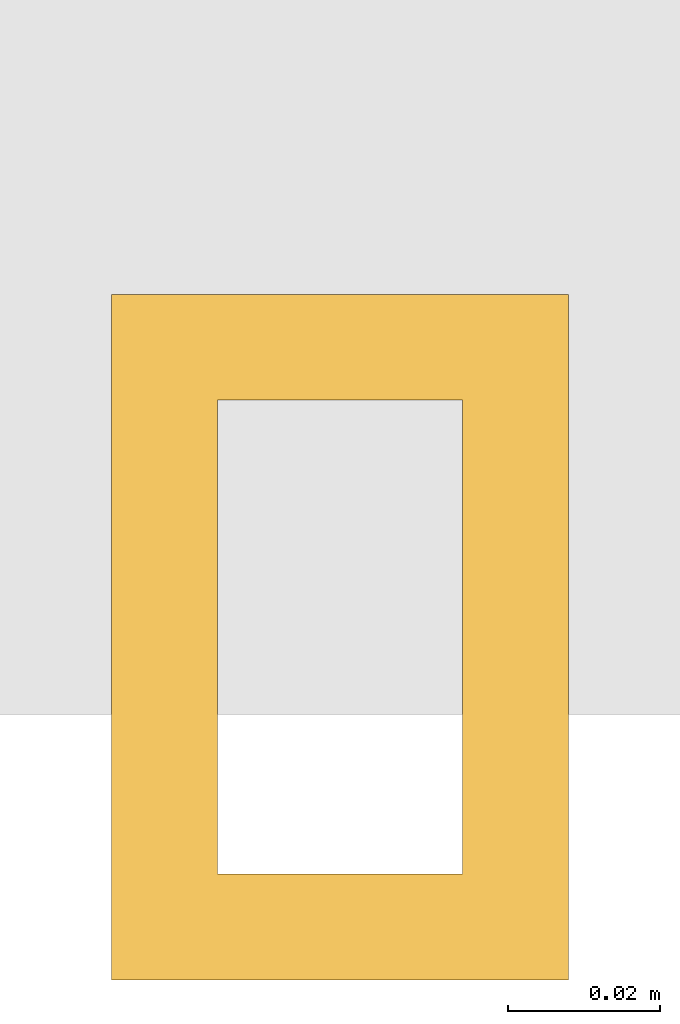
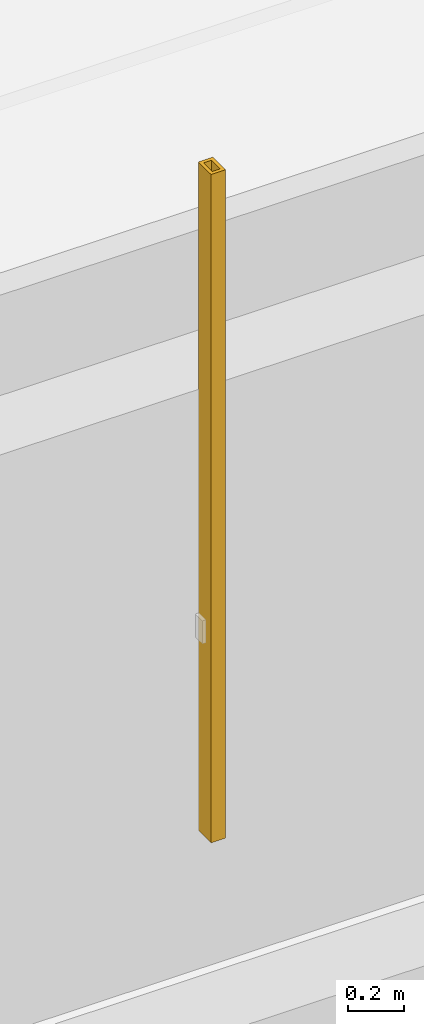
# One storey, part 21 of 27: 1 shading device.
"""IFC4 building model written with IfcOpenShell, lengths in metres."""

from ifc_helpers import new_model, si_unit, direction, frame, origin, origin_2d, place, context, subcontext, project, spatial, hollow_rectangle, extrude, material, material_profile, profile_set, type_object, element, save


model = new_model("IFC4")

# Units and contexts
model_context = context("Model", 3, precision=1e-05, world=origin(), true_north=direction((0.0, 1.0)))
body_context = subcontext(model_context, "Body", "Model", "MODEL_VIEW")
ifc_project = project(units=[si_unit("LENGTHUNIT", "METRE"), si_unit("AREAUNIT", "SQUARE_METRE"), si_unit("VOLUMEUNIT", "CUBIC_METRE"), si_unit("PLANEANGLEUNIT", "RADIAN"), si_unit("MASSUNIT", "GRAM", prefix="KILO")], contexts=[model_context])

# Site, building, storey
site_placement = place(None, origin())
site = spatial("IfcSite", under=ifc_project, at=site_placement, CompositionType="ELEMENT")
building_placement = place(site_placement, origin())
building = spatial("IfcBuilding", under=site, at=building_placement, Name="Punatoya Terracotta Tower", CompositionType="ELEMENT")
storey_placement = place(building_placement, frame((0.0, 0.0, 60.60009765625)))
storey = spatial("IfcBuildingStorey", under=building, at=storey_placement, Name="L13", CompositionType="ELEMENT", Elevation=60.60009765625)

# Shading device
ifc_material = material(Name="Architectural Fired Terracotta", Category="masonry")
ifc_material_profile = material_profile(ifc_material, hollow_rectangle(XDim=0.06005859375, YDim=0.090087890625, WallThickness=0.013916015625, at=origin_2d()))
ifc_profile_set = profile_set([ifc_material_profile], Name="Architectural Fired Terracotta")
shading_device_type = type_object("IfcShadingDeviceType", Name="SHD-JALI-90", PredefinedType="JALOUSIE", material=ifc_profile_set)
shading_device_placement = place(storey_placement, frame((12.493408203125, -23.449951171875, 0.599853515625), z_axis=(0.0, 0.0, 1.0), x_axis=(1.0, 0.0, 0.0)))
element("IfcShadingDevice", 1, at=shading_device_placement, inside=storey, type_object=shading_device_type, Name="L13 Braced Bay Terracotta Jali Fin S2", PredefinedType="JALOUSIE", context=body_context, shape_type="SweptSolid", body=[
    extrude(hollow_rectangle(XDim=0.06005859375, YDim=0.090087890625, WallThickness=0.013916015625, at=origin_2d()), origin(), (0.0, 0.0, 1.0), 2.91015625),
])

save(model, "model.ifc")
